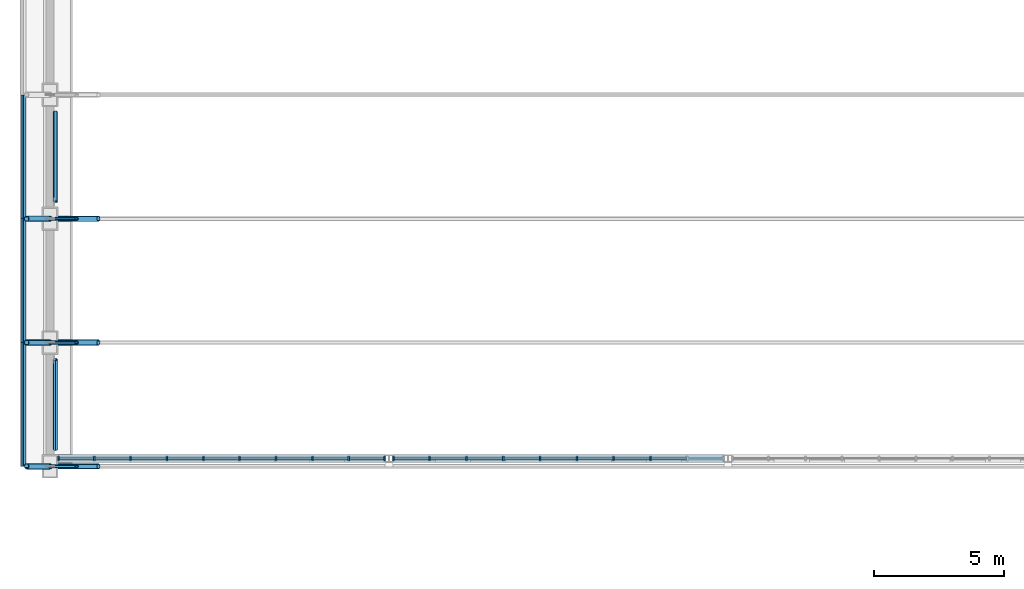
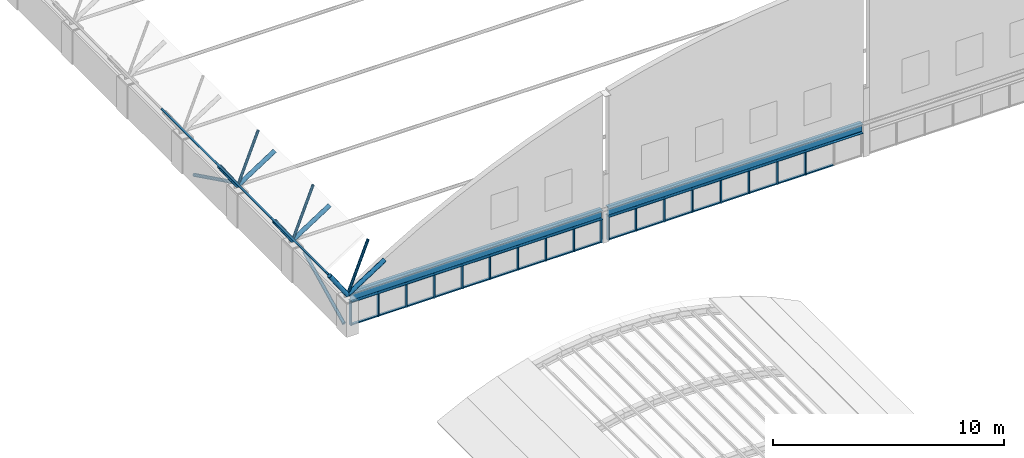
# One storey, part 9 of 65: 66 members, 2 beams, 2 elements without a shape of their own.
"""IFC4 building model written with IfcOpenShell, lengths in metres."""

from ifc_helpers import new_model, si_unit, direction, frame, origin, origin_2d, place, context, subcontext, project, spatial, rectangle, hollow_rectangle, hollow_circle, i_section, extrude, material, material_profile, profile_set, type_object, element, aggregate, save


model = new_model("IFC4")

# Units and contexts
model_context = context("Model", 3, precision=1e-05, world=origin(), true_north=direction((0.0, 1.0)))
body_context = subcontext(model_context, "Body", "Model", "MODEL_VIEW")
ifc_project = project(units=[si_unit("LENGTHUNIT", "METRE"), si_unit("AREAUNIT", "SQUARE_METRE"), si_unit("VOLUMEUNIT", "CUBIC_METRE"), si_unit("PLANEANGLEUNIT", "RADIAN"), si_unit("MASSUNIT", "GRAM", prefix="KILO")], contexts=[model_context])

# Site, building, storey
site_placement = place(None, origin())
site = spatial("IfcSite", under=ifc_project, at=site_placement, CompositionType="ELEMENT")
building_placement = place(site_placement, origin())
building = spatial("IfcBuilding", under=site, at=building_placement, Name="Elbe Cascade School", CompositionType="ELEMENT")
storey_placement = place(building_placement, frame((0.0, 0.0, 11.699951171875)))
storey = spatial("IfcBuildingStorey", under=building, at=storey_placement, Name="L03", CompositionType="ELEMENT", Elevation=11.699951171875)

# Beams
ifc_material_1 = material(Name="Steel S355J2", Category="steel")
ifc_material_profile_1 = material_profile(ifc_material_1, i_section(OverallWidth=0.300048828125, OverallDepth=0.489990234375, WebThickness=0.011962890625, FlangeThickness=0.02294921875, FilletRadius=0.027099609375, at=origin_2d()), Name="HEA 500")
ifc_profile_set_1 = profile_set([ifc_material_profile_1], Name="Steel S355J2")
beam_type = type_object("IfcBeamType", Name="Hall gable beam HEA 500", PredefinedType="BEAM", material=ifc_profile_set_1)
beam_1_placement = place(storey_placement, frame((8.300048828125, 41.300048828125, 1.505126953125), z_axis=(1.0, 0.0, 0.0), x_axis=(0.0, 1.0, 0.0)))
element("IfcBeam", 1, at=beam_1_placement, inside=storey, type_object=beam_type, Name="Gable beam S1", PredefinedType="BEAM", context=body_context, shape_type="SweptSolid", body=[
    extrude(i_section(OverallWidth=0.300048828125, OverallDepth=0.489990234375, WebThickness=0.011962890625, FlangeThickness=0.02294921875, FilletRadius=0.027099609375, at=origin_2d()), origin(), (0.0, 0.0, 1.0), 12.550048828125),
])
beam_2_placement = place(storey_placement, frame((21.14990234375, 41.300048828125, 1.505126953125), z_axis=(1.0, 0.0, 0.0), x_axis=(0.0, 1.0, 0.0)))
element("IfcBeam", 2, at=beam_2_placement, inside=storey, type_object=beam_type, Name="Gable beam S2", PredefinedType="BEAM", context=body_context, shape_type="SweptSolid", body=[
    extrude(i_section(OverallWidth=0.300048828125, OverallDepth=0.489990234375, WebThickness=0.011962890625, FlangeThickness=0.02294921875, FilletRadius=0.027099609375, at=origin_2d()), origin(), (0.0, 0.0, 1.0), 12.7001953125),
])

# Curtain wall, members
ifc_material_2 = material(Name="Glass - double glazed low-E", Category="glass")
curtain_wall_type = type_object("IfcCurtainWallType", Name="Hall gable curtain wall", PredefinedType="NOTDEFINED", material=ifc_material_2)
curtain_wall_1_placement = place(storey_placement, origin())
curtain_wall_1 = element("IfcCurtainWall", 3, at=curtain_wall_1_placement, inside=storey, type_object=curtain_wall_type, Name="Gable curtain wall S1", PredefinedType="NOTDEFINED")
ifc_material_3 = material(Name="Aluminium - bronze anodised", Category="aluminium")
ifc_material_profile_2 = material_profile(ifc_material_3, rectangle(XDim=0.159912109375, YDim=0.06005859375, at=origin_2d()), Name="Alu 60x160")
ifc_profile_set_2 = profile_set([ifc_material_profile_2], Name="Aluminium - bronze anodised")
member_type_1 = type_object("IfcMemberType", Name="Hall gable mullion 60x160", PredefinedType="MULLION", material=ifc_profile_set_2)
member_1_placement = place(storey_placement, frame((8.330078125, 41.300048828125, 0.0), z_axis=(0.0, 0.0, 1.0), x_axis=(0.0, 1.0, 0.0)))
member_1 = element("IfcMember", 4, at=member_1_placement, type_object=member_type_1, Name="CW6 mullion 1", PredefinedType="MULLION", context=body_context, shape_type="SweptSolid", body=[
    extrude(rectangle(XDim=0.159912109375, YDim=0.06005859375, at=origin_2d()), origin(), (0.0, 0.0, 1.0), 1.260009765625),
])
member_2_placement = place(storey_placement, frame((9.6943359375, 41.300048828125, 0.0), z_axis=(0.0, 0.0, 1.0), x_axis=(0.0, 1.0, 0.0)))
member_2 = element("IfcMember", 5, at=member_2_placement, type_object=member_type_1, Name="CW6 mullion 2", PredefinedType="MULLION", context=body_context, shape_type="SweptSolid", body=[
    extrude(rectangle(XDim=0.159912109375, YDim=0.06005859375, at=origin_2d()), origin(), (0.0, 0.0, 1.0), 1.260009765625),
])
member_3_placement = place(storey_placement, frame((11.0888671875, 41.300048828125, 0.0), z_axis=(0.0, 0.0, 1.0), x_axis=(0.0, 1.0, 0.0)))
member_3 = element("IfcMember", 6, at=member_3_placement, type_object=member_type_1, Name="CW6 mullion 3", PredefinedType="MULLION", context=body_context, shape_type="SweptSolid", body=[
    extrude(rectangle(XDim=0.159912109375, YDim=0.06005859375, at=origin_2d()), origin(), (0.0, 0.0, 1.0), 1.260009765625),
])
member_4_placement = place(storey_placement, frame((12.4833984375, 41.300048828125, 0.0), z_axis=(0.0, 0.0, 1.0), x_axis=(0.0, 1.0, 0.0)))
member_4 = element("IfcMember", 7, at=member_4_placement, type_object=member_type_1, Name="CW6 mullion 4", PredefinedType="MULLION", context=body_context, shape_type="SweptSolid", body=[
    extrude(rectangle(XDim=0.159912109375, YDim=0.06005859375, at=origin_2d()), origin(), (0.0, 0.0, 1.0), 1.260009765625),
])
member_5_placement = place(storey_placement, frame((13.877685546875, 41.300048828125, 0.0), z_axis=(0.0, 0.0, 1.0), x_axis=(0.0, 1.0, 0.0)))
member_5 = element("IfcMember", 8, at=member_5_placement, type_object=member_type_1, Name="CW6 mullion 5", PredefinedType="MULLION", context=body_context, shape_type="SweptSolid", body=[
    extrude(rectangle(XDim=0.159912109375, YDim=0.06005859375, at=origin_2d()), origin(), (0.0, 0.0, 1.0), 1.260009765625),
])
member_6_placement = place(storey_placement, frame((15.272216796875, 41.300048828125, 0.0), z_axis=(0.0, 0.0, 1.0), x_axis=(0.0, 1.0, 0.0)))
member_6 = element("IfcMember", 9, at=member_6_placement, type_object=member_type_1, Name="CW6 mullion 6", PredefinedType="MULLION", context=body_context, shape_type="SweptSolid", body=[
    extrude(rectangle(XDim=0.159912109375, YDim=0.06005859375, at=origin_2d()), origin(), (0.0, 0.0, 1.0), 1.260009765625),
])
member_7_placement = place(storey_placement, frame((16.666748046875, 41.300048828125, 0.0), z_axis=(0.0, 0.0, 1.0), x_axis=(0.0, 1.0, 0.0)))
member_7 = element("IfcMember", 10, at=member_7_placement, type_object=member_type_1, Name="CW6 mullion 7", PredefinedType="MULLION", context=body_context, shape_type="SweptSolid", body=[
    extrude(rectangle(XDim=0.159912109375, YDim=0.06005859375, at=origin_2d()), origin(), (0.0, 0.0, 1.0), 1.260009765625),
])
member_8_placement = place(storey_placement, frame((18.06103515625, 41.300048828125, 0.0), z_axis=(0.0, 0.0, 1.0), x_axis=(0.0, 1.0, 0.0)))
member_8 = element("IfcMember", 11, at=member_8_placement, type_object=member_type_1, Name="CW6 mullion 8", PredefinedType="MULLION", context=body_context, shape_type="SweptSolid", body=[
    extrude(rectangle(XDim=0.159912109375, YDim=0.06005859375, at=origin_2d()), origin(), (0.0, 0.0, 1.0), 1.260009765625),
])
member_9_placement = place(storey_placement, frame((19.45556640625, 41.300048828125, 0.0), z_axis=(0.0, 0.0, 1.0), x_axis=(0.0, 1.0, 0.0)))
member_9 = element("IfcMember", 12, at=member_9_placement, type_object=member_type_1, Name="CW6 mullion 9", PredefinedType="MULLION", context=body_context, shape_type="SweptSolid", body=[
    extrude(rectangle(XDim=0.159912109375, YDim=0.06005859375, at=origin_2d()), origin(), (0.0, 0.0, 1.0), 1.260009765625),
])
member_10_placement = place(storey_placement, frame((20.820068359375, 41.300048828125, 0.0), z_axis=(0.0, 0.0, 1.0), x_axis=(0.0, 1.0, 0.0)))
member_10 = element("IfcMember", 13, at=member_10_placement, type_object=member_type_1, Name="CW6 mullion 10", PredefinedType="MULLION", context=body_context, shape_type="SweptSolid", body=[
    extrude(rectangle(XDim=0.159912109375, YDim=0.06005859375, at=origin_2d()), origin(), (0.0, 0.0, 1.0), 1.260009765625),
])

curtain_wall_2_placement = place(storey_placement, origin())
curtain_wall_2 = element("IfcCurtainWall", 14, at=curtain_wall_2_placement, inside=storey, type_object=curtain_wall_type, Name="Gable curtain wall S2", PredefinedType="NOTDEFINED")
member_11_placement = place(storey_placement, frame((21.179931640625, 41.300048828125, 0.0), z_axis=(0.0, 0.0, 1.0), x_axis=(0.0, 1.0, 0.0)))
member_11 = element("IfcMember", 15, at=member_11_placement, type_object=member_type_1, Name="CW6 mullion 1", PredefinedType="MULLION", context=body_context, shape_type="SweptSolid", body=[
    extrude(rectangle(XDim=0.159912109375, YDim=0.06005859375, at=origin_2d()), origin(), (0.0, 0.0, 1.0), 1.260009765625),
])
member_12_placement = place(storey_placement, frame((22.56103515625, 41.300048828125, 0.0), z_axis=(0.0, 0.0, 1.0), x_axis=(0.0, 1.0, 0.0)))
member_12 = element("IfcMember", 16, at=member_12_placement, type_object=member_type_1, Name="CW6 mullion 2", PredefinedType="MULLION", context=body_context, shape_type="SweptSolid", body=[
    extrude(rectangle(XDim=0.159912109375, YDim=0.06005859375, at=origin_2d()), origin(), (0.0, 0.0, 1.0), 1.260009765625),
])
member_13_placement = place(storey_placement, frame((23.97216796875, 41.300048828125, 0.0), z_axis=(0.0, 0.0, 1.0), x_axis=(0.0, 1.0, 0.0)))
member_13 = element("IfcMember", 17, at=member_13_placement, type_object=member_type_1, Name="CW6 mullion 3", PredefinedType="MULLION", context=body_context, shape_type="SweptSolid", body=[
    extrude(rectangle(XDim=0.159912109375, YDim=0.06005859375, at=origin_2d()), origin(), (0.0, 0.0, 1.0), 1.260009765625),
])
member_14_placement = place(storey_placement, frame((25.38330078125, 41.300048828125, 0.0), z_axis=(0.0, 0.0, 1.0), x_axis=(0.0, 1.0, 0.0)))
member_14 = element("IfcMember", 18, at=member_14_placement, type_object=member_type_1, Name="CW6 mullion 4", PredefinedType="MULLION", context=body_context, shape_type="SweptSolid", body=[
    extrude(rectangle(XDim=0.159912109375, YDim=0.06005859375, at=origin_2d()), origin(), (0.0, 0.0, 1.0), 1.260009765625),
])
member_15_placement = place(storey_placement, frame((26.79443359375, 41.300048828125, 0.0), z_axis=(0.0, 0.0, 1.0), x_axis=(0.0, 1.0, 0.0)))
member_15 = element("IfcMember", 19, at=member_15_placement, type_object=member_type_1, Name="CW6 mullion 5", PredefinedType="MULLION", context=body_context, shape_type="SweptSolid", body=[
    extrude(rectangle(XDim=0.159912109375, YDim=0.06005859375, at=origin_2d()), origin(), (0.0, 0.0, 1.0), 1.260009765625),
])
member_16_placement = place(storey_placement, frame((28.20556640625, 41.300048828125, 0.0), z_axis=(0.0, 0.0, 1.0), x_axis=(0.0, 1.0, 0.0)))
member_16 = element("IfcMember", 20, at=member_16_placement, type_object=member_type_1, Name="CW6 mullion 6", PredefinedType="MULLION", context=body_context, shape_type="SweptSolid", body=[
    extrude(rectangle(XDim=0.159912109375, YDim=0.06005859375, at=origin_2d()), origin(), (0.0, 0.0, 1.0), 1.260009765625),
])
member_17_placement = place(storey_placement, frame((29.61669921875, 41.300048828125, 0.0), z_axis=(0.0, 0.0, 1.0), x_axis=(0.0, 1.0, 0.0)))
member_17 = element("IfcMember", 21, at=member_17_placement, type_object=member_type_1, Name="CW6 mullion 7", PredefinedType="MULLION", context=body_context, shape_type="SweptSolid", body=[
    extrude(rectangle(XDim=0.159912109375, YDim=0.06005859375, at=origin_2d()), origin(), (0.0, 0.0, 1.0), 1.260009765625),
])
member_18_placement = place(storey_placement, frame((31.02783203125, 41.300048828125, 0.0), z_axis=(0.0, 0.0, 1.0), x_axis=(0.0, 1.0, 0.0)))
member_18 = element("IfcMember", 22, at=member_18_placement, type_object=member_type_1, Name="CW6 mullion 8", PredefinedType="MULLION", context=body_context, shape_type="SweptSolid", body=[
    extrude(rectangle(XDim=0.159912109375, YDim=0.06005859375, at=origin_2d()), origin(), (0.0, 0.0, 1.0), 1.260009765625),
])

# Member
ifc_material_4 = material(Name="Aluminium - bronze anodised", Category="aluminium")
ifc_material_profile_3 = material_profile(ifc_material_4, rectangle(XDim=0.1201171875, YDim=0.06005859375, at=origin_2d()), Name="Alu 60x120")
ifc_profile_set_3 = profile_set([ifc_material_profile_3], Name="Aluminium - bronze anodised")
member_type_2 = type_object("IfcMemberType", Name="Hall gable transom 60x120", PredefinedType="USERDEFINED", material=ifc_profile_set_3)
member_19_placement = place(storey_placement, frame((8.360107421875, 41.300048828125, 0.030029296875), z_axis=(1.0, 0.0, 0.0), x_axis=(0.0, 1.0, 0.0)))
member_19 = element("IfcMember", 23, at=member_19_placement, type_object=member_type_2, Name="CW6 transom 1.1", ObjectType="TRANSOM", PredefinedType="USERDEFINED", context=body_context, shape_type="SweptSolid", body=[
    extrude(rectangle(XDim=0.1201171875, YDim=0.06005859375, at=origin_2d()), origin(), (0.0, 0.0, 1.0), 1.304443359375),
])

member_20_placement = place(storey_placement, frame((8.360107421875, 41.300048828125, 1.22998046875), z_axis=(1.0, 0.0, 0.0), x_axis=(0.0, 1.0, 0.0)))
member_20 = element("IfcMember", 24, at=member_20_placement, type_object=member_type_2, Name="CW6 transom 1.2", ObjectType="TRANSOM", PredefinedType="USERDEFINED", context=body_context, shape_type="SweptSolid", body=[
    extrude(rectangle(XDim=0.1201171875, YDim=0.06005859375, at=origin_2d()), origin(), (0.0, 0.0, 1.0), 1.304443359375),
])

member_21_placement = place(storey_placement, frame((9.724365234375, 41.300048828125, 0.030029296875), z_axis=(1.0, 0.0, 0.0), x_axis=(0.0, 1.0, 0.0)))
member_21 = element("IfcMember", 25, at=member_21_placement, type_object=member_type_2, Name="CW6 transom 2.1", ObjectType="TRANSOM", PredefinedType="USERDEFINED", context=body_context, shape_type="SweptSolid", body=[
    extrude(rectangle(XDim=0.1201171875, YDim=0.06005859375, at=origin_2d()), origin(), (0.0, 0.0, 1.0), 1.33447265625),
])

member_22_placement = place(storey_placement, frame((9.724365234375, 41.300048828125, 1.22998046875), z_axis=(1.0, 0.0, 0.0), x_axis=(0.0, 1.0, 0.0)))
member_22 = element("IfcMember", 26, at=member_22_placement, type_object=member_type_2, Name="CW6 transom 2.2", ObjectType="TRANSOM", PredefinedType="USERDEFINED", context=body_context, shape_type="SweptSolid", body=[
    extrude(rectangle(XDim=0.1201171875, YDim=0.06005859375, at=origin_2d()), origin(), (0.0, 0.0, 1.0), 1.33447265625),
])

member_23_placement = place(storey_placement, frame((11.118896484375, 41.300048828125, 0.030029296875), z_axis=(1.0, 0.0, 0.0), x_axis=(0.0, 1.0, 0.0)))
member_23 = element("IfcMember", 27, at=member_23_placement, type_object=member_type_2, Name="CW6 transom 3.1", ObjectType="TRANSOM", PredefinedType="USERDEFINED", context=body_context, shape_type="SweptSolid", body=[
    extrude(rectangle(XDim=0.1201171875, YDim=0.06005859375, at=origin_2d()), origin(), (0.0, 0.0, 1.0), 1.33447265625),
])

member_24_placement = place(storey_placement, frame((11.118896484375, 41.300048828125, 1.22998046875), z_axis=(1.0, 0.0, 0.0), x_axis=(0.0, 1.0, 0.0)))
member_24 = element("IfcMember", 28, at=member_24_placement, type_object=member_type_2, Name="CW6 transom 3.2", ObjectType="TRANSOM", PredefinedType="USERDEFINED", context=body_context, shape_type="SweptSolid", body=[
    extrude(rectangle(XDim=0.1201171875, YDim=0.06005859375, at=origin_2d()), origin(), (0.0, 0.0, 1.0), 1.33447265625),
])

member_25_placement = place(storey_placement, frame((12.513427734375, 41.300048828125, 0.030029296875), z_axis=(1.0, 0.0, 0.0), x_axis=(0.0, 1.0, 0.0)))
member_25 = element("IfcMember", 29, at=member_25_placement, type_object=member_type_2, Name="CW6 transom 4.1", ObjectType="TRANSOM", PredefinedType="USERDEFINED", context=body_context, shape_type="SweptSolid", body=[
    extrude(rectangle(XDim=0.1201171875, YDim=0.06005859375, at=origin_2d()), origin(), (0.0, 0.0, 1.0), 1.334228515625),
])

member_26_placement = place(storey_placement, frame((12.513427734375, 41.300048828125, 1.22998046875), z_axis=(1.0, 0.0, 0.0), x_axis=(0.0, 1.0, 0.0)))
member_26 = element("IfcMember", 30, at=member_26_placement, type_object=member_type_2, Name="CW6 transom 4.2", ObjectType="TRANSOM", PredefinedType="USERDEFINED", context=body_context, shape_type="SweptSolid", body=[
    extrude(rectangle(XDim=0.1201171875, YDim=0.06005859375, at=origin_2d()), origin(), (0.0, 0.0, 1.0), 1.334228515625),
])

member_27_placement = place(storey_placement, frame((13.90771484375, 41.300048828125, 0.030029296875), z_axis=(1.0, 0.0, 0.0), x_axis=(0.0, 1.0, 0.0)))
member_27 = element("IfcMember", 31, at=member_27_placement, type_object=member_type_2, Name="CW6 transom 5.1", ObjectType="TRANSOM", PredefinedType="USERDEFINED", context=body_context, shape_type="SweptSolid", body=[
    extrude(rectangle(XDim=0.1201171875, YDim=0.06005859375, at=origin_2d()), origin(), (0.0, 0.0, 1.0), 1.33447265625),
])

member_28_placement = place(storey_placement, frame((13.90771484375, 41.300048828125, 1.22998046875), z_axis=(1.0, 0.0, 0.0), x_axis=(0.0, 1.0, 0.0)))
member_28 = element("IfcMember", 32, at=member_28_placement, type_object=member_type_2, Name="CW6 transom 5.2", ObjectType="TRANSOM", PredefinedType="USERDEFINED", context=body_context, shape_type="SweptSolid", body=[
    extrude(rectangle(XDim=0.1201171875, YDim=0.06005859375, at=origin_2d()), origin(), (0.0, 0.0, 1.0), 1.33447265625),
])

member_29_placement = place(storey_placement, frame((15.30224609375, 41.300048828125, 0.030029296875), z_axis=(1.0, 0.0, 0.0), x_axis=(0.0, 1.0, 0.0)))
member_29 = element("IfcMember", 33, at=member_29_placement, type_object=member_type_2, Name="CW6 transom 6.1", ObjectType="TRANSOM", PredefinedType="USERDEFINED", context=body_context, shape_type="SweptSolid", body=[
    extrude(rectangle(XDim=0.1201171875, YDim=0.06005859375, at=origin_2d()), origin(), (0.0, 0.0, 1.0), 1.33447265625),
])

member_30_placement = place(storey_placement, frame((15.30224609375, 41.300048828125, 1.22998046875), z_axis=(1.0, 0.0, 0.0), x_axis=(0.0, 1.0, 0.0)))
member_30 = element("IfcMember", 34, at=member_30_placement, type_object=member_type_2, Name="CW6 transom 6.2", ObjectType="TRANSOM", PredefinedType="USERDEFINED", context=body_context, shape_type="SweptSolid", body=[
    extrude(rectangle(XDim=0.1201171875, YDim=0.06005859375, at=origin_2d()), origin(), (0.0, 0.0, 1.0), 1.33447265625),
])

member_31_placement = place(storey_placement, frame((16.69677734375, 41.300048828125, 0.030029296875), z_axis=(1.0, 0.0, 0.0), x_axis=(0.0, 1.0, 0.0)))
member_31 = element("IfcMember", 35, at=member_31_placement, type_object=member_type_2, Name="CW6 transom 7.1", ObjectType="TRANSOM", PredefinedType="USERDEFINED", context=body_context, shape_type="SweptSolid", body=[
    extrude(rectangle(XDim=0.1201171875, YDim=0.06005859375, at=origin_2d()), origin(), (0.0, 0.0, 1.0), 1.334228515625),
])

member_32_placement = place(storey_placement, frame((16.69677734375, 41.300048828125, 1.22998046875), z_axis=(1.0, 0.0, 0.0), x_axis=(0.0, 1.0, 0.0)))
member_32 = element("IfcMember", 36, at=member_32_placement, type_object=member_type_2, Name="CW6 transom 7.2", ObjectType="TRANSOM", PredefinedType="USERDEFINED", context=body_context, shape_type="SweptSolid", body=[
    extrude(rectangle(XDim=0.1201171875, YDim=0.06005859375, at=origin_2d()), origin(), (0.0, 0.0, 1.0), 1.334228515625),
])

member_33_placement = place(storey_placement, frame((18.091064453125, 41.300048828125, 0.030029296875), z_axis=(1.0, 0.0, 0.0), x_axis=(0.0, 1.0, 0.0)))
member_33 = element("IfcMember", 37, at=member_33_placement, type_object=member_type_2, Name="CW6 transom 8.1", ObjectType="TRANSOM", PredefinedType="USERDEFINED", context=body_context, shape_type="SweptSolid", body=[
    extrude(rectangle(XDim=0.1201171875, YDim=0.06005859375, at=origin_2d()), origin(), (0.0, 0.0, 1.0), 1.33447265625),
])

member_34_placement = place(storey_placement, frame((18.091064453125, 41.300048828125, 1.22998046875), z_axis=(1.0, 0.0, 0.0), x_axis=(0.0, 1.0, 0.0)))
member_34 = element("IfcMember", 38, at=member_34_placement, type_object=member_type_2, Name="CW6 transom 8.2", ObjectType="TRANSOM", PredefinedType="USERDEFINED", context=body_context, shape_type="SweptSolid", body=[
    extrude(rectangle(XDim=0.1201171875, YDim=0.06005859375, at=origin_2d()), origin(), (0.0, 0.0, 1.0), 1.33447265625),
])

member_35_placement = place(storey_placement, frame((19.485595703125, 41.300048828125, 0.030029296875), z_axis=(1.0, 0.0, 0.0), x_axis=(0.0, 1.0, 0.0)))
member_35 = element("IfcMember", 39, at=member_35_placement, type_object=member_type_2, Name="CW6 transom 9.1", ObjectType="TRANSOM", PredefinedType="USERDEFINED", context=body_context, shape_type="SweptSolid", body=[
    extrude(rectangle(XDim=0.1201171875, YDim=0.06005859375, at=origin_2d()), origin(), (0.0, 0.0, 1.0), 1.304443359375),
])

member_36_placement = place(storey_placement, frame((19.485595703125, 41.300048828125, 1.22998046875), z_axis=(1.0, 0.0, 0.0), x_axis=(0.0, 1.0, 0.0)))
member_36 = element("IfcMember", 40, at=member_36_placement, type_object=member_type_2, Name="CW6 transom 9.2", ObjectType="TRANSOM", PredefinedType="USERDEFINED", context=body_context, shape_type="SweptSolid", body=[
    extrude(rectangle(XDim=0.1201171875, YDim=0.06005859375, at=origin_2d()), origin(), (0.0, 0.0, 1.0), 1.304443359375),
])

aggregate(curtain_wall_1, [member_1, member_2, member_3, member_4, member_5, member_6, member_7, member_8, member_9, member_10, member_19, member_20, member_21, member_22, member_23, member_24, member_25, member_26, member_27, member_28, member_29, member_30, member_31, member_32, member_33, member_34, member_35, member_36])

member_37_placement = place(storey_placement, frame((21.2099609375, 41.300048828125, 0.030029296875), z_axis=(1.0, 0.0, 0.0), x_axis=(0.0, 1.0, 0.0)))
member_37 = element("IfcMember", 41, at=member_37_placement, type_object=member_type_2, Name="CW6 transom 1.1", ObjectType="TRANSOM", PredefinedType="USERDEFINED", context=body_context, shape_type="SweptSolid", body=[
    extrude(rectangle(XDim=0.1201171875, YDim=0.06005859375, at=origin_2d()), origin(), (0.0, 0.0, 1.0), 1.321044921875),
])

member_38_placement = place(storey_placement, frame((21.2099609375, 41.300048828125, 1.22998046875), z_axis=(1.0, 0.0, 0.0), x_axis=(0.0, 1.0, 0.0)))
member_38 = element("IfcMember", 42, at=member_38_placement, type_object=member_type_2, Name="CW6 transom 1.2", ObjectType="TRANSOM", PredefinedType="USERDEFINED", context=body_context, shape_type="SweptSolid", body=[
    extrude(rectangle(XDim=0.1201171875, YDim=0.06005859375, at=origin_2d()), origin(), (0.0, 0.0, 1.0), 1.321044921875),
])

member_39_placement = place(storey_placement, frame((22.591064453125, 41.300048828125, 0.030029296875), z_axis=(1.0, 0.0, 0.0), x_axis=(0.0, 1.0, 0.0)))
member_39 = element("IfcMember", 43, at=member_39_placement, type_object=member_type_2, Name="CW6 transom 2.1", ObjectType="TRANSOM", PredefinedType="USERDEFINED", context=body_context, shape_type="SweptSolid", body=[
    extrude(rectangle(XDim=0.1201171875, YDim=0.06005859375, at=origin_2d()), origin(), (0.0, 0.0, 1.0), 1.35107421875),
])

member_40_placement = place(storey_placement, frame((22.591064453125, 41.300048828125, 1.22998046875), z_axis=(1.0, 0.0, 0.0), x_axis=(0.0, 1.0, 0.0)))
member_40 = element("IfcMember", 44, at=member_40_placement, type_object=member_type_2, Name="CW6 transom 2.2", ObjectType="TRANSOM", PredefinedType="USERDEFINED", context=body_context, shape_type="SweptSolid", body=[
    extrude(rectangle(XDim=0.1201171875, YDim=0.06005859375, at=origin_2d()), origin(), (0.0, 0.0, 1.0), 1.35107421875),
])

member_41_placement = place(storey_placement, frame((24.002197265625, 41.300048828125, 0.030029296875), z_axis=(1.0, 0.0, 0.0), x_axis=(0.0, 1.0, 0.0)))
member_41 = element("IfcMember", 45, at=member_41_placement, type_object=member_type_2, Name="CW6 transom 3.1", ObjectType="TRANSOM", PredefinedType="USERDEFINED", context=body_context, shape_type="SweptSolid", body=[
    extrude(rectangle(XDim=0.1201171875, YDim=0.06005859375, at=origin_2d()), origin(), (0.0, 0.0, 1.0), 1.35107421875),
])

member_42_placement = place(storey_placement, frame((24.002197265625, 41.300048828125, 1.22998046875), z_axis=(1.0, 0.0, 0.0), x_axis=(0.0, 1.0, 0.0)))
member_42 = element("IfcMember", 46, at=member_42_placement, type_object=member_type_2, Name="CW6 transom 3.2", ObjectType="TRANSOM", PredefinedType="USERDEFINED", context=body_context, shape_type="SweptSolid", body=[
    extrude(rectangle(XDim=0.1201171875, YDim=0.06005859375, at=origin_2d()), origin(), (0.0, 0.0, 1.0), 1.35107421875),
])

member_43_placement = place(storey_placement, frame((25.413330078125, 41.300048828125, 0.030029296875), z_axis=(1.0, 0.0, 0.0), x_axis=(0.0, 1.0, 0.0)))
member_43 = element("IfcMember", 47, at=member_43_placement, type_object=member_type_2, Name="CW6 transom 4.1", ObjectType="TRANSOM", PredefinedType="USERDEFINED", context=body_context, shape_type="SweptSolid", body=[
    extrude(rectangle(XDim=0.1201171875, YDim=0.06005859375, at=origin_2d()), origin(), (0.0, 0.0, 1.0), 1.35107421875),
])

member_44_placement = place(storey_placement, frame((25.413330078125, 41.300048828125, 1.22998046875), z_axis=(1.0, 0.0, 0.0), x_axis=(0.0, 1.0, 0.0)))
member_44 = element("IfcMember", 48, at=member_44_placement, type_object=member_type_2, Name="CW6 transom 4.2", ObjectType="TRANSOM", PredefinedType="USERDEFINED", context=body_context, shape_type="SweptSolid", body=[
    extrude(rectangle(XDim=0.1201171875, YDim=0.06005859375, at=origin_2d()), origin(), (0.0, 0.0, 1.0), 1.35107421875),
])

member_45_placement = place(storey_placement, frame((26.824462890625, 41.300048828125, 0.030029296875), z_axis=(1.0, 0.0, 0.0), x_axis=(0.0, 1.0, 0.0)))
member_45 = element("IfcMember", 49, at=member_45_placement, type_object=member_type_2, Name="CW6 transom 5.1", ObjectType="TRANSOM", PredefinedType="USERDEFINED", context=body_context, shape_type="SweptSolid", body=[
    extrude(rectangle(XDim=0.1201171875, YDim=0.06005859375, at=origin_2d()), origin(), (0.0, 0.0, 1.0), 1.35107421875),
])

member_46_placement = place(storey_placement, frame((26.824462890625, 41.300048828125, 1.22998046875), z_axis=(1.0, 0.0, 0.0), x_axis=(0.0, 1.0, 0.0)))
member_46 = element("IfcMember", 50, at=member_46_placement, type_object=member_type_2, Name="CW6 transom 5.2", ObjectType="TRANSOM", PredefinedType="USERDEFINED", context=body_context, shape_type="SweptSolid", body=[
    extrude(rectangle(XDim=0.1201171875, YDim=0.06005859375, at=origin_2d()), origin(), (0.0, 0.0, 1.0), 1.35107421875),
])

member_47_placement = place(storey_placement, frame((28.235595703125, 41.300048828125, 0.030029296875), z_axis=(1.0, 0.0, 0.0), x_axis=(0.0, 1.0, 0.0)))
member_47 = element("IfcMember", 51, at=member_47_placement, type_object=member_type_2, Name="CW6 transom 6.1", ObjectType="TRANSOM", PredefinedType="USERDEFINED", context=body_context, shape_type="SweptSolid", body=[
    extrude(rectangle(XDim=0.1201171875, YDim=0.06005859375, at=origin_2d()), origin(), (0.0, 0.0, 1.0), 1.35107421875),
])

member_48_placement = place(storey_placement, frame((28.235595703125, 41.300048828125, 1.22998046875), z_axis=(1.0, 0.0, 0.0), x_axis=(0.0, 1.0, 0.0)))
member_48 = element("IfcMember", 52, at=member_48_placement, type_object=member_type_2, Name="CW6 transom 6.2", ObjectType="TRANSOM", PredefinedType="USERDEFINED", context=body_context, shape_type="SweptSolid", body=[
    extrude(rectangle(XDim=0.1201171875, YDim=0.06005859375, at=origin_2d()), origin(), (0.0, 0.0, 1.0), 1.35107421875),
])

member_49_placement = place(storey_placement, frame((29.646728515625, 41.300048828125, 0.030029296875), z_axis=(1.0, 0.0, 0.0), x_axis=(0.0, 1.0, 0.0)))
member_49 = element("IfcMember", 53, at=member_49_placement, type_object=member_type_2, Name="CW6 transom 7.1", ObjectType="TRANSOM", PredefinedType="USERDEFINED", context=body_context, shape_type="SweptSolid", body=[
    extrude(rectangle(XDim=0.1201171875, YDim=0.06005859375, at=origin_2d()), origin(), (0.0, 0.0, 1.0), 1.35107421875),
])

member_50_placement = place(storey_placement, frame((29.646728515625, 41.300048828125, 1.22998046875), z_axis=(1.0, 0.0, 0.0), x_axis=(0.0, 1.0, 0.0)))
member_50 = element("IfcMember", 54, at=member_50_placement, type_object=member_type_2, Name="CW6 transom 7.2", ObjectType="TRANSOM", PredefinedType="USERDEFINED", context=body_context, shape_type="SweptSolid", body=[
    extrude(rectangle(XDim=0.1201171875, YDim=0.06005859375, at=origin_2d()), origin(), (0.0, 0.0, 1.0), 1.35107421875),
])

member_51_placement = place(storey_placement, frame((31.057861328125, 41.300048828125, 0.030029296875), z_axis=(1.0, 0.0, 0.0), x_axis=(0.0, 1.0, 0.0)))
member_51 = element("IfcMember", 55, at=member_51_placement, type_object=member_type_2, Name="CW6 transom 8.1", ObjectType="TRANSOM", PredefinedType="USERDEFINED", context=body_context, shape_type="SweptSolid", body=[
    extrude(rectangle(XDim=0.1201171875, YDim=0.06005859375, at=origin_2d()), origin(), (0.0, 0.0, 1.0), 1.35107421875),
])

member_52_placement = place(storey_placement, frame((31.057861328125, 41.300048828125, 1.22998046875), z_axis=(1.0, 0.0, 0.0), x_axis=(0.0, 1.0, 0.0)))
member_52 = element("IfcMember", 56, at=member_52_placement, type_object=member_type_2, Name="CW6 transom 8.2", ObjectType="TRANSOM", PredefinedType="USERDEFINED", context=body_context, shape_type="SweptSolid", body=[
    extrude(rectangle(XDim=0.1201171875, YDim=0.06005859375, at=origin_2d()), origin(), (0.0, 0.0, 1.0), 1.35107421875),
])

aggregate(curtain_wall_2, [member_11, member_12, member_13, member_14, member_15, member_16, member_17, member_18, member_37, member_38, member_39, member_40, member_41, member_42, member_43, member_44, member_45, member_46, member_47, member_48, member_49, member_50, member_51, member_52])

# Members
ifc_material_5 = material(Name="Steel S355J2H", Category="steel")
ifc_material_profile_4 = material_profile(ifc_material_5, hollow_circle(Radius=0.109619140625, WallThickness=0.012451171875, at=origin_2d()), Name="CHS 219.1x12.5")
ifc_profile_set_4 = profile_set([ifc_material_profile_4], Name="Steel S355J2H")
member_type_3 = type_object("IfcMemberType", Name="Hall rib bottom chord CHS 219.1x12.5", PredefinedType="CHORD", material=ifc_profile_set_4)
for number, where, z_axis, x_axis, name in (
    (57, (8.0, 41.0, 1.89208984375), (0.840233339688, 0.0, 0.542224985478), (0.0, 1.0, 0.0), "Hall rib bottom chord CHS 219.1x12.5 M3"),
    (58, (8.0, 45.75, 1.89208984375), (0.840233339688, 0.0, 0.542224985478), (0.0, 1.0, 0.0), "Hall rib bottom chord CHS 219.1x12.5 M3"),
    (59, (8.0, 50.5, 1.89208984375), (0.840233339688, 0.0, 0.542224985478), (0.0, 1.0, 0.0), "Hall rib bottom chord CHS 219.1x12.5 M3"),
):
    element("IfcMember", number, at=place(storey_placement, frame(where, z_axis=z_axis, x_axis=x_axis)), inside=storey, type_object=member_type_3, Name=name, PredefinedType="CHORD", context=body_context, shape_type="SweptSolid", body=[
        extrude(hollow_circle(Radius=0.109619140625, WallThickness=0.012451171875, at=origin_2d()), origin(), (0.0, 0.0, 1.0), 2.210205078125),
    ])
ifc_material_6 = material(Name="Steel S355J2H", Category="steel")
ifc_material_profile_5 = material_profile(ifc_material_6, hollow_circle(Radius=0.109619140625, WallThickness=0.012451171875, at=origin_2d()), Name="CHS 219.1x12.5")
ifc_profile_set_5 = profile_set([ifc_material_profile_5], Name="Steel S355J2H")
member_type_4 = type_object("IfcMemberType", Name="Hall rib end post CHS 219.1x12.5", PredefinedType="POST", material=ifc_profile_set_5)
for number, where, z_axis, x_axis, name in (
    (60, (8.0, 41.0, 1.89208984375), (-0.562143062018, 0.0, 0.827040009809), (0.0, -1.0, 0.0), "Hall rib end post CHS 219.1x12.5 M5"),
    (61, (8.0, 45.75, 1.89208984375), (-0.562143062018, 0.0, 0.827040009809), (0.0, -1.0, 0.0), "Hall rib end post CHS 219.1x12.5 M5"),
    (62, (8.0, 50.5, 1.89208984375), (-0.562143062018, 0.0, 0.827040009809), (0.0, -1.0, 0.0), "Hall rib end post CHS 219.1x12.5 M5"),
):
    element("IfcMember", number, at=place(storey_placement, frame(where, z_axis=z_axis, x_axis=x_axis)), inside=storey, type_object=member_type_4, Name=name, PredefinedType="POST", context=body_context, shape_type="SweptSolid", body=[
        extrude(hollow_circle(Radius=0.109619140625, WallThickness=0.012451171875, at=origin_2d()), origin(), (0.0, 0.0, 1.0), 1.599853515625),
    ])
ifc_material_7 = material(Name="Steel S355J2H", Category="steel")
ifc_material_profile_6 = material_profile(ifc_material_7, hollow_circle(Radius=0.06982421875, WallThickness=0.008056640625, at=origin_2d()), Name="CHS 139.7x8")
ifc_profile_set_6 = profile_set([ifc_material_profile_6], Name="Steel S355J2H")
member_type_5 = type_object("IfcMemberType", Name="Hall rib web CHS 139.7x8", PredefinedType="BRACE", material=ifc_profile_set_6)
for number, where, z_axis, x_axis, name in (
    (63, (8.0, 41.0, 1.89208984375), (0.370353160415, 0.0, 0.928891025132), (0.0, 1.0, 0.0), "Hall rib web CHS 139.7x8 M4"),
    (64, (8.0, 45.75, 1.89208984375), (0.370353160415, 0.0, 0.928891025132), (0.0, 1.0, 0.0), "Hall rib web CHS 139.7x8 M4"),
    (65, (8.0, 50.5, 1.89208984375), (0.370353160415, 0.0, 0.928891025132), (0.0, 1.0, 0.0), "Hall rib web CHS 139.7x8 M4"),
):
    element("IfcMember", number, at=place(storey_placement, frame(where, z_axis=z_axis, x_axis=x_axis)), inside=storey, type_object=member_type_5, Name=name, PredefinedType="BRACE", context=body_context, shape_type="SweptSolid", body=[
        extrude(hollow_circle(Radius=0.06982421875, WallThickness=0.008056640625, at=origin_2d()), origin(), (0.0, 0.0, 1.0), 2.759521484375),
    ])
ifc_material_8 = material(Name="Steel S355J2H", Category="steel")
ifc_material_profile_7 = material_profile(ifc_material_8, hollow_rectangle(XDim=0.10009765625, YDim=0.199951171875, WallThickness=0.008056640625, InnerFilletRadius=0.008056640625, OuterFilletRadius=0.011962890625, at=origin_2d()), Name="RHS 200x100x8")
ifc_profile_set_7 = profile_set([ifc_material_profile_7], Name="Steel S355J2H")
member_type_6 = type_object("IfcMemberType", Name="Hall roof purlin RHS 200x100x8", PredefinedType="PURLIN", material=ifc_profile_set_7)
for number, where, z_axis, x_axis, name in (
    (66, (6.984375, 41.0, 3.38623046875), (0.0, 1.0, 0.0), (-0.827027027028, 0.0, -0.562162162161), "Hall roof purlin RHS 200x100x8 M8"),
    (67, (6.984375, 45.75, 3.38623046875), (0.0, 1.0, 0.0), (-0.827027027028, 0.0, -0.562162162161), "Hall roof purlin RHS 200x100x8 M8"),
    (68, (6.984375, 50.5, 3.38623046875), (0.0, 1.0, 0.0), (-0.827027027028, 0.0, -0.562162162161), "Hall roof purlin RHS 200x100x8 M8"),
):
    element("IfcMember", number, at=place(storey_placement, frame(where, z_axis=z_axis, x_axis=x_axis)), inside=storey, type_object=member_type_6, Name=name, PredefinedType="PURLIN", context=body_context, shape_type="SweptSolid", body=[
        extrude(hollow_rectangle(XDim=0.10009765625, YDim=0.199951171875, WallThickness=0.008056640625, InnerFilletRadius=0.008056640625, OuterFilletRadius=0.011962890625, at=origin_2d()), origin(), (0.0, 0.0, 1.0), 4.75),
    ])
ifc_material_9 = material(Name="Steel S355J2H", Category="steel")
ifc_material_profile_8 = material_profile(ifc_material_9, hollow_circle(Radius=0.084228515625, WallThickness=0.010009765625, at=origin_2d()), Name="CHS 168.3x10")
ifc_profile_set_8 = profile_set([ifc_material_profile_8], Name="Steel S355J2H")
member_type_7 = type_object("IfcMemberType", Name="Hall wall bracing CHS 168.3x10", PredefinedType="BRACE", material=ifc_profile_set_8)
for number, where, z_axis, x_axis, name in (
    (69, (8.2041015625, 41.64990234375, -0.099853515625), (0.0, 0.89702706343, 0.441975618643), (-1.0, 0.0, 0.0), "Hall wall bracing CHS 168.3x10 M10"),
    (70, (8.2041015625, 54.60009765625, -0.099853515625), (0.0, -0.89702706343, 0.441975618643), (1.0, 0.0, 0.0), "Hall wall bracing CHS 168.3x10 M10"),
):
    element("IfcMember", number, at=place(storey_placement, frame(where, z_axis=z_axis, x_axis=x_axis)), inside=storey, type_object=member_type_7, Name=name, PredefinedType="BRACE", context=body_context, shape_type="SweptSolid", body=[
        extrude(hollow_circle(Radius=0.084228515625, WallThickness=0.010009765625, at=origin_2d()), origin(), (0.0, 0.0, 1.0), 3.84619140625),
    ])

save(model, "model.ifc")
